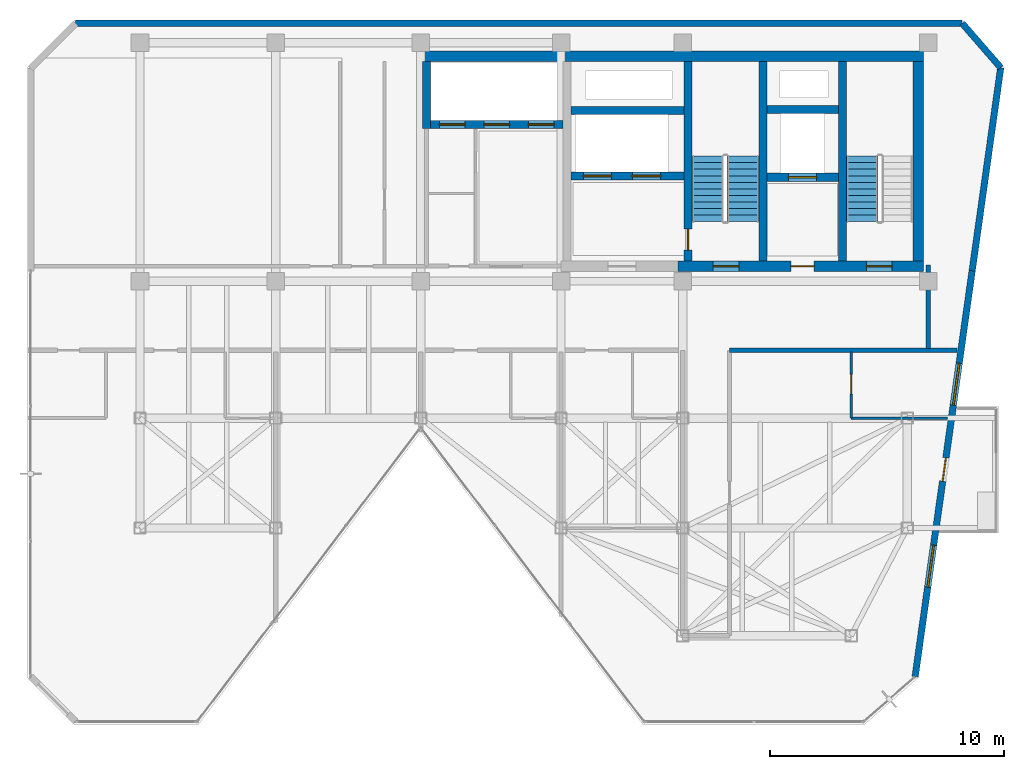
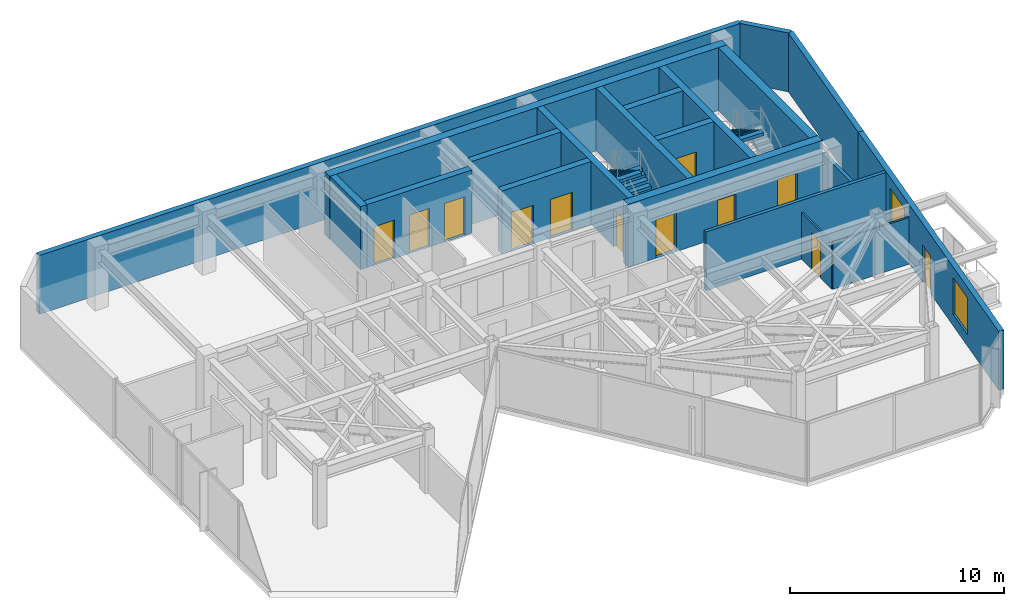
# One storey, part 16 of 19: 20 walls, 12 doors, 3 stair flights, 2 windows, 14 openings, 2 elements without a shape of their own.
"""IFC4 building model written with IfcOpenShell, lengths in metres."""

from ifc_helpers import new_model, si_unit, direction, frame, frame_2d, origin, place, context, subcontext, project, spatial, polyline, rectangle, outline, extrude, material, layer, layer_set, type_object, element, fill, aggregate, save


model = new_model("IFC4")

# Units and contexts
model_context = context("Model", 3, precision=1e-05, world=origin(), true_north=direction((0.0, 1.0)))
body_context = subcontext(model_context, "Body", "Model", "MODEL_VIEW")
ifc_project = project(units=[si_unit("LENGTHUNIT", "METRE"), si_unit("AREAUNIT", "SQUARE_METRE"), si_unit("VOLUMEUNIT", "CUBIC_METRE"), si_unit("PLANEANGLEUNIT", "RADIAN"), si_unit("MASSUNIT", "GRAM", prefix="KILO")], contexts=[model_context])

# Site, building, storey
site_placement = place(None, origin())
site = spatial("IfcSite", under=ifc_project, at=site_placement, CompositionType="ELEMENT")
building_placement = place(site_placement, origin())
building = spatial("IfcBuilding", under=site, at=building_placement, Name="Kravanh Interchange Tower", CompositionType="ELEMENT")
storey_placement = place(building_placement, frame((0.0, 0.0, 267.0)))
storey = spatial("IfcBuildingStorey", under=building, at=storey_placement, Name="L65", CompositionType="ELEMENT", Elevation=267.0)

# Walls
ifc_material_1 = material(Name="Concrete C60/75", Category="concrete")
ifc_layer_1 = layer(ifc_material_1, 0.35009765625)
ifc_layer_set_1 = layer_set([ifc_layer_1], Name="Core Shear Wall Concrete C60/75 350mm")
wall_type_1 = type_object("IfcWallType", Name="Core Shear Wall Concrete C60/75 350mm", PredefinedType="SHEAR", material=ifc_layer_set_1)
for number, where, z_axis, x_axis, name in (
    (1, (62.824951171875, 38.22509765625, 0.0), (0.0, 0.0, 1.0), (0.0, 1.0, 0.0), "L65 Stair ST1 West Shear Wall"),
    (2, (59.425048828125, 38.22509765625, 0.0), (0.0, 0.0, 1.0), (0.0, 1.0, 0.0), "L65 Stair ST2 East Shear Wall"),
):
    element("IfcWall", number, at=place(storey_placement, frame(where, z_axis=z_axis, x_axis=x_axis)), inside=storey, type_object=wall_type_1, Name=name, PredefinedType="SHEAR", context=body_context, shape_type="SweptSolid", body=[
        extrude(rectangle(XDim=8.52490234375, YDim=0.35009765625, at=frame_2d((4.262451171875, 0.0))), origin(), (0.0, 0.0, 1.0), 3.60009765625),
    ])

# Wall, opening, door
wall_1_placement = place(storey_placement, frame((56.22509765625, 38.22509765625, 0.0), z_axis=(0.0, 0.0, 1.0), x_axis=(0.0, 1.0, 0.0)))
wall_1 = element("IfcWall", 3, at=wall_1_placement, inside=storey, type_object=wall_type_1, Name="L65 Stair ST2 West Shear Wall", PredefinedType="SHEAR", context=body_context, shape_type="SweptSolid", body=[
    extrude(rectangle(XDim=8.52490234375, YDim=0.35009765625, at=frame_2d((4.262451171875, 0.0))), origin(), (0.0, 0.0, 1.0), 3.60009765625),
])
opening_1_placement = place(wall_1_placement, frame((0.455078125, 0.0, 0.0)))
opening_1 = element("IfcOpeningElement", 4, at=opening_1_placement, cuts=wall_1, Name="Opening D-STAIR-90", PredefinedType="OPENING", context=body_context, shape_type="SweptSolid", body=[
    extrude(rectangle(XDim=0.89990234375, YDim=2.14990234375, at=frame_2d((0.449951171875, 1.074951171875))), frame((0.0, 0.18505859375, 0.0), z_axis=(0.0, -1.0, 0.0), x_axis=(1.0, 0.0, 0.0)), (0.0, 0.0, 1.0), 0.3701171875),
])
ifc_material_2 = material(Name="Structural Steel S355", Category="steel")
door_type_1 = type_object("IfcDoorType", Name="Fire-Rated Stair Lobby Door 900x2150", OperationType="NOTDEFINED", PredefinedType="DOOR", material=ifc_material_2)
door_1_placement = place(opening_1_placement, origin())
door_1 = element("IfcDoor", 5, at=door_1_placement, inside=storey, type_object=door_type_1, Name="L65 Firefighting Lobby to Stair ST2 Door", OperationType="SINGLE_SWING_LEFT", OverallHeight=2.14990234375, OverallWidth=0.89990234375, PredefinedType="DOOR", context=body_context, shape_type="SweptSolid", body=[
    extrude(rectangle(XDim=0.89990234375, YDim=2.14990234375, at=frame_2d((0.449951171875, 1.074951171875))), frame((0.0, 0.02490234375, 0.0), z_axis=(0.0, -1.0, 0.0), x_axis=(1.0, 0.0, 0.0)), (0.0, 0.0, 1.0), 0.050048828125),
])
fill(opening_1, door_1)

wall_2_placement = place(storey_placement, frame((59.60009765625, 41.800048828125, 0.0), z_axis=(0.0, 0.0, 1.0), x_axis=(1.0, 0.0, 0.0)))
wall_2 = element("IfcWall", 6, at=wall_2_placement, inside=storey, type_object=wall_type_1, Name="L65 Service Lift Shaft South Wall", PredefinedType="SHEAR", context=body_context, shape_type="SweptSolid", body=[
    extrude(rectangle(XDim=3.0498046875, YDim=0.35009765625, at=frame_2d((1.52490234375, 0.0))), origin(), (0.0, 0.0, 1.0), 3.60009765625),
])
opening_2_placement = place(wall_2_placement, frame((0.919921875, 0.0, 0.0)))
opening_2 = element("IfcOpeningElement", 7, at=opening_2_placement, cuts=wall_2, Name="Opening LD02", PredefinedType="OPENING", context=body_context, shape_type="SweptSolid", body=[
    extrude(rectangle(XDim=1.199951171875, YDim=2.199951171875, at=frame_2d((0.60009765625, 1.10009765625))), frame((0.0, 0.18505859375, 0.0), z_axis=(0.0, -1.0, 0.0), x_axis=(1.0, 0.0, 0.0)), (0.0, 0.0, 1.0), 0.3701171875),
])
ifc_material_3 = material(Name="Stainless Steel 316", Category="steel")
door_type_2 = type_object("IfcDoorType", Name="Fire and Service Lift Sliding Landing Door 1200x2200", OperationType="DOUBLE_DOOR_SLIDING", PredefinedType="DOOR", material=ifc_material_3)
door_2_placement = place(opening_2_placement, origin())
door_2 = element("IfcDoor", 8, at=door_2_placement, inside=storey, type_object=door_type_2, Name="L65 Lift LS-01 Landing Door", OperationType="DOUBLE_DOOR_SLIDING", OverallHeight=2.199951171875, OverallWidth=1.199951171875, PredefinedType="DOOR", context=body_context, shape_type="SweptSolid", body=[
    extrude(rectangle(XDim=1.199951171875, YDim=2.199951171875, at=frame_2d((0.60009765625, 1.10009765625))), frame((0.0, 0.02490234375, 0.0), z_axis=(0.0, -1.0, 0.0), x_axis=(1.0, 0.0, 0.0)), (0.0, 0.0, 1.0), 0.050048828125),
])
fill(opening_2, door_2)

# Wall
wall_3_placement = place(storey_placement, frame((59.60009765625, 44.699951171875, 0.0), z_axis=(0.0, 0.0, 1.0), x_axis=(1.0, 0.0, 0.0)))
element("IfcWall", 9, at=wall_3_placement, inside=storey, type_object=wall_type_1, Name="L65 Service Lift Shaft North Wall", PredefinedType="SHEAR", context=body_context, shape_type="SweptSolid", body=[
    extrude(rectangle(XDim=3.0498046875, YDim=0.35009765625, at=frame_2d((1.52490234375, 0.0))), origin(), (0.0, 0.0, 1.0), 3.60009765625),
])

# Wall, openings, doors
wall_4_placement = place(storey_placement, frame((51.22509765625, 41.85009765625, 0.0), z_axis=(0.0, 0.0, 1.0), x_axis=(1.0, 0.0, 0.0)))
wall_4 = element("IfcWall", 10, at=wall_4_placement, inside=storey, type_object=wall_type_1, Name="L65 Fire Lift Shaft South Wall", PredefinedType="SHEAR", context=body_context, shape_type="SweptSolid", body=[
    extrude(rectangle(XDim=4.824951171875, YDim=0.35009765625, at=frame_2d((2.41259765625, 0.0))), origin(), (0.0, 0.0, 1.0), 3.60009765625),
])
opening_3_placement = place(wall_4_placement, frame((0.52490234375, 0.0, 0.0)))
opening_3 = element("IfcOpeningElement", 11, at=opening_3_placement, cuts=wall_4, Name="Opening LD02", PredefinedType="OPENING", context=body_context, shape_type="SweptSolid", body=[
    extrude(rectangle(XDim=1.199951171875, YDim=2.199951171875, at=frame_2d((0.60009765625, 1.10009765625))), frame((0.0, 0.18505859375, 0.0), z_axis=(0.0, -1.0, 0.0), x_axis=(1.0, 0.0, 0.0)), (0.0, 0.0, 1.0), 0.3701171875),
])
opening_4_placement = place(wall_4_placement, frame((2.625, 0.0, 0.0)))
opening_4 = element("IfcOpeningElement", 12, at=opening_4_placement, cuts=wall_4, Name="Opening LD02", PredefinedType="OPENING", context=body_context, shape_type="SweptSolid", body=[
    extrude(rectangle(XDim=1.199951171875, YDim=2.199951171875, at=frame_2d((0.60009765625, 1.10009765625))), frame((0.0, 0.18505859375, 0.0), z_axis=(0.0, -1.0, 0.0), x_axis=(1.0, 0.0, 0.0)), (0.0, 0.0, 1.0), 0.3701171875),
])
door_3_placement = place(opening_3_placement, origin())
door_3 = element("IfcDoor", 13, at=door_3_placement, inside=storey, type_object=door_type_2, Name="L65 Lift FSAE-01 Landing Door", OperationType="DOUBLE_DOOR_SLIDING", OverallHeight=2.199951171875, OverallWidth=1.199951171875, PredefinedType="DOOR", context=body_context, shape_type="SweptSolid", body=[
    extrude(rectangle(XDim=1.199951171875, YDim=2.199951171875, at=frame_2d((0.60009765625, 1.10009765625))), frame((0.0, 0.02490234375, 0.0), z_axis=(0.0, -1.0, 0.0), x_axis=(1.0, 0.0, 0.0)), (0.0, 0.0, 1.0), 0.050048828125),
])
fill(opening_3, door_3)
door_4_placement = place(opening_4_placement, origin())
door_4 = element("IfcDoor", 14, at=door_4_placement, inside=storey, type_object=door_type_2, Name="L65 Lift FSAE-02 Landing Door", OperationType="DOUBLE_DOOR_SLIDING", OverallHeight=2.199951171875, OverallWidth=1.199951171875, PredefinedType="DOOR", context=body_context, shape_type="SweptSolid", body=[
    extrude(rectangle(XDim=1.199951171875, YDim=2.199951171875, at=frame_2d((0.60009765625, 1.10009765625))), frame((0.0, 0.02490234375, 0.0), z_axis=(0.0, -1.0, 0.0), x_axis=(1.0, 0.0, 0.0)), (0.0, 0.0, 1.0), 0.050048828125),
])
fill(opening_4, door_4)

# Wall
wall_5_placement = place(storey_placement, frame((51.22509765625, 44.64990234375, 0.0), z_axis=(0.0, 0.0, 1.0), x_axis=(1.0, 0.0, 0.0)))
element("IfcWall", 15, at=wall_5_placement, inside=storey, type_object=wall_type_1, Name="L65 Fire Lift Shaft North Wall", PredefinedType="SHEAR", context=body_context, shape_type="SweptSolid", body=[
    extrude(rectangle(XDim=4.824951171875, YDim=0.35009765625, at=frame_2d((2.41259765625, 0.0))), origin(), (0.0, 0.0, 1.0), 3.60009765625),
])

# Wall, openings, doors
wall_6_placement = place(storey_placement, frame((45.22509765625, 44.050048828125, 0.0), z_axis=(0.0, 0.0, 1.0), x_axis=(1.0, 0.0, 0.0)))
wall_6 = element("IfcWall", 16, at=wall_6_placement, inside=storey, type_object=wall_type_1, Name="L65 High-Rise Lift Shaft South Wall", PredefinedType="SHEAR", context=body_context, shape_type="SweptSolid", body=[
    extrude(rectangle(XDim=5.64990234375, YDim=0.35009765625, at=frame_2d((2.824951171875, 0.0))), origin(), (0.0, 0.0, 1.0), 3.60009765625),
])
opening_5_placement = place(wall_6_placement, frame((0.375, 0.0, 0.0)))
opening_5 = element("IfcOpeningElement", 17, at=opening_5_placement, cuts=wall_6, Name="Opening LD01", PredefinedType="OPENING", context=body_context, shape_type="SweptSolid", body=[
    extrude(rectangle(XDim=1.10009765625, YDim=2.199951171875, at=frame_2d((0.550048828125, 1.10009765625))), frame((0.0, 0.18505859375, 0.0), z_axis=(0.0, -1.0, 0.0), x_axis=(1.0, 0.0, 0.0)), (0.0, 0.0, 1.0), 0.3701171875),
])
opening_6_placement = place(wall_6_placement, frame((2.27490234375, 0.0, 0.0)))
opening_6 = element("IfcOpeningElement", 18, at=opening_6_placement, cuts=wall_6, Name="Opening LD01", PredefinedType="OPENING", context=body_context, shape_type="SweptSolid", body=[
    extrude(rectangle(XDim=1.10009765625, YDim=2.199951171875, at=frame_2d((0.550048828125, 1.10009765625))), frame((0.0, 0.18505859375, 0.0), z_axis=(0.0, -1.0, 0.0), x_axis=(1.0, 0.0, 0.0)), (0.0, 0.0, 1.0), 0.3701171875),
])
opening_7_placement = place(wall_6_placement, frame((4.175048828125, 0.0, 0.0)))
opening_7 = element("IfcOpeningElement", 19, at=opening_7_placement, cuts=wall_6, Name="Opening LD01", PredefinedType="OPENING", context=body_context, shape_type="SweptSolid", body=[
    extrude(rectangle(XDim=1.10009765625, YDim=2.199951171875, at=frame_2d((0.550048828125, 1.10009765625))), frame((0.0, 0.18505859375, 0.0), z_axis=(0.0, -1.0, 0.0), x_axis=(1.0, 0.0, 0.0)), (0.0, 0.0, 1.0), 0.3701171875),
])
ifc_material_4 = material(Name="Stainless Steel 304", Category="steel")
door_type_3 = type_object("IfcDoorType", Name="Passenger Lift Sliding Landing Door 1100x2200", OperationType="DOUBLE_DOOR_SLIDING", PredefinedType="DOOR", material=ifc_material_4)
door_5_placement = place(opening_5_placement, origin())
door_5 = element("IfcDoor", 20, at=door_5_placement, inside=storey, type_object=door_type_3, Name="L65 Lift LP-H1 Landing Door", OperationType="DOUBLE_DOOR_SLIDING", OverallHeight=2.199951171875, OverallWidth=1.10009765625, PredefinedType="DOOR", context=body_context, shape_type="SweptSolid", body=[
    extrude(rectangle(XDim=1.10009765625, YDim=2.199951171875, at=frame_2d((0.550048828125, 1.10009765625))), frame((0.0, 0.02490234375, 0.0), z_axis=(0.0, -1.0, 0.0), x_axis=(1.0, 0.0, 0.0)), (0.0, 0.0, 1.0), 0.050048828125),
])
fill(opening_5, door_5)
door_6_placement = place(opening_6_placement, origin())
door_6 = element("IfcDoor", 21, at=door_6_placement, inside=storey, type_object=door_type_3, Name="L65 Lift LP-H2 Landing Door", OperationType="DOUBLE_DOOR_SLIDING", OverallHeight=2.199951171875, OverallWidth=1.10009765625, PredefinedType="DOOR", context=body_context, shape_type="SweptSolid", body=[
    extrude(rectangle(XDim=1.10009765625, YDim=2.199951171875, at=frame_2d((0.550048828125, 1.10009765625))), frame((0.0, 0.02490234375, 0.0), z_axis=(0.0, -1.0, 0.0), x_axis=(1.0, 0.0, 0.0)), (0.0, 0.0, 1.0), 0.050048828125),
])
fill(opening_6, door_6)
door_7_placement = place(opening_7_placement, origin())
door_7 = element("IfcDoor", 22, at=door_7_placement, inside=storey, type_object=door_type_3, Name="L65 Lift LP-H3 Landing Door", OperationType="DOUBLE_DOOR_SLIDING", OverallHeight=2.199951171875, OverallWidth=1.10009765625, PredefinedType="DOOR", context=body_context, shape_type="SweptSolid", body=[
    extrude(rectangle(XDim=1.10009765625, YDim=2.199951171875, at=frame_2d((0.550048828125, 1.10009765625))), frame((0.0, 0.02490234375, 0.0), z_axis=(0.0, -1.0, 0.0), x_axis=(1.0, 0.0, 0.0)), (0.0, 0.0, 1.0), 0.050048828125),
])
fill(opening_7, door_7)

# Walls
wall_7_placement = place(storey_placement, frame((45.050048828125, 43.875, 0.0), z_axis=(0.0, 0.0, 1.0), x_axis=(0.0, 1.0, 0.0)))
element("IfcWall", 23, at=wall_7_placement, inside=storey, type_object=wall_type_1, Name="L65 High-Rise Lift Shaft West Wall", PredefinedType="SHEAR", context=body_context, shape_type="SweptSolid", body=[
    extrude(rectangle(XDim=2.875, YDim=0.35009765625, at=frame_2d((1.4375, 0.0))), origin(), (0.0, 0.0, 1.0), 3.60009765625),
])
ifc_material_5 = material(Name="Concrete C60/75", Category="concrete")
ifc_layer_2 = layer(ifc_material_5, 0.449951171875)
ifc_layer_set_2 = layer_set([ifc_layer_2], Name="Core Shear Wall Concrete C60/75 450mm")
wall_type_2 = type_object("IfcWallType", Name="Core Shear Wall Concrete C60/75 450mm", PredefinedType="SHEAR", material=ifc_layer_set_2)
wall_8_placement = place(storey_placement, frame((44.85009765625, 46.97509765625, 0.0), z_axis=(0.0, 0.0, 1.0), x_axis=(1.0, 0.0, 0.0)))
element("IfcWall", 24, at=wall_8_placement, inside=storey, type_object=wall_type_2, Name="L65 North Core Shear Wall", PredefinedType="SHEAR", context=body_context, shape_type="SweptSolid", body=[
    extrude(rectangle(XDim=21.449951171875, YDim=0.449951171875, at=frame_2d((10.72509765625, 0.0))), origin(), (0.0, 0.0, 1.0), 3.60009765625),
])

# Wall, openings, doors
wall_9_placement = place(storey_placement, frame((55.800048828125, 38.0, 0.0), z_axis=(0.0, 0.0, 1.0), x_axis=(1.0, 0.0, 0.0)))
wall_9 = element("IfcWall", 25, at=wall_9_placement, inside=storey, type_object=wall_type_2, Name="L65 East Core South Shear Wall", PredefinedType="SHEAR", context=body_context, shape_type="SweptSolid", body=[
    extrude(rectangle(XDim=10.5, YDim=0.449951171875, at=frame_2d((5.25, 0.0))), origin(), (0.0, 0.0, 1.0), 3.60009765625),
])
opening_8_placement = place(wall_9_placement, frame((1.5, 0.0, 0.0)))
opening_8 = element("IfcOpeningElement", 26, at=opening_8_placement, cuts=wall_9, Name="Opening D-STAIR-110", PredefinedType="OPENING", context=body_context, shape_type="SweptSolid", body=[
    extrude(rectangle(XDim=1.10009765625, YDim=2.199951171875, at=frame_2d((0.550048828125, 1.10009765625))), frame((0.0, 0.23486328125, 0.0), z_axis=(0.0, -1.0, 0.0), x_axis=(1.0, 0.0, 0.0)), (0.0, 0.0, 1.0), 0.469970703125),
])
opening_9_placement = place(wall_9_placement, frame((4.820068359375, 0.0, 0.0)))
opening_9 = element("IfcOpeningElement", 27, at=opening_9_placement, cuts=wall_9, Name="Opening D-HOTEL-100", PredefinedType="OPENING", context=body_context, shape_type="SweptSolid", body=[
    extrude(rectangle(XDim=1.0, YDim=2.14990234375, at=frame_2d((0.5, 1.074951171875))), frame((0.0, 0.23486328125, 0.0), z_axis=(0.0, -1.0, 0.0), x_axis=(1.0, 0.0, 0.0)), (0.0, 0.0, 1.0), 0.469970703125),
])
opening_10_placement = place(wall_9_placement, frame((8.050048828125, 0.0, 0.0)))
opening_10 = element("IfcOpeningElement", 28, at=opening_10_placement, cuts=wall_9, Name="Opening D-STAIR-110", PredefinedType="OPENING", context=body_context, shape_type="SweptSolid", body=[
    extrude(rectangle(XDim=1.10009765625, YDim=2.199951171875, at=frame_2d((0.550048828125, 1.10009765625))), frame((0.0, 0.23486328125, 0.0), z_axis=(0.0, -1.0, 0.0), x_axis=(1.0, 0.0, 0.0)), (0.0, 0.0, 1.0), 0.469970703125),
])
ifc_material_6 = material(Name="Structural Steel S355", Category="steel")
door_type_4 = type_object("IfcDoorType", Name="Fire-Rated Exit Stair Door 1100x2200", OperationType="NOTDEFINED", PredefinedType="DOOR", material=ifc_material_6)
door_8_placement = place(opening_8_placement, origin())
door_8 = element("IfcDoor", 29, at=door_8_placement, inside=storey, type_object=door_type_4, Name="L65 Exit Stair ST2 Door", OperationType="SINGLE_SWING_RIGHT", OverallHeight=2.199951171875, OverallWidth=1.10009765625, PredefinedType="DOOR", context=body_context, shape_type="SweptSolid", body=[
    extrude(rectangle(XDim=1.10009765625, YDim=2.199951171875, at=frame_2d((0.550048828125, 1.10009765625))), frame((0.0, 0.02490234375, 0.0), z_axis=(0.0, -1.0, 0.0), x_axis=(1.0, 0.0, 0.0)), (0.0, 0.0, 1.0), 0.050048828125),
])
fill(opening_8, door_8)
door_9_placement = place(opening_10_placement, origin())
door_9 = element("IfcDoor", 30, at=door_9_placement, inside=storey, type_object=door_type_4, Name="L65 Exit Stair ST1 Door", OperationType="SINGLE_SWING_RIGHT", OverallHeight=2.199951171875, OverallWidth=1.10009765625, PredefinedType="DOOR", context=body_context, shape_type="SweptSolid", body=[
    extrude(rectangle(XDim=1.10009765625, YDim=2.199951171875, at=frame_2d((0.550048828125, 1.10009765625))), frame((0.0, 0.02490234375, 0.0), z_axis=(0.0, -1.0, 0.0), x_axis=(1.0, 0.0, 0.0)), (0.0, 0.0, 1.0), 0.050048828125),
])
fill(opening_10, door_9)
ifc_material_7 = material(Name="Fire-Rated Solid Timber Leaf", Category="wood")
door_type_5 = type_object("IfcDoorType", Name="Fire-Rated Suite Entrance Door 1000x2150", OperationType="NOTDEFINED", PredefinedType="DOOR", material=ifc_material_7)
door_10_placement = place(opening_9_placement, origin())
door_10 = element("IfcDoor", 31, at=door_10_placement, inside=storey, type_object=door_type_5, Name="L65 Service Lift Lobby Door", OperationType="SINGLE_SWING_RIGHT", OverallHeight=2.14990234375, OverallWidth=1.0, PredefinedType="DOOR", context=body_context, shape_type="SweptSolid", body=[
    extrude(rectangle(XDim=1.0, YDim=2.14990234375, at=frame_2d((0.5, 1.074951171875))), frame((0.0, 0.02490234375, 0.0), z_axis=(0.0, -1.0, 0.0), x_axis=(1.0, 0.0, 0.0)), (0.0, 0.0, 1.0), 0.050048828125),
])
fill(opening_9, door_10)

# Walls
wall_10_placement = place(storey_placement, frame((66.074951171875, 38.22509765625, 0.0), z_axis=(0.0, 0.0, 1.0), x_axis=(0.0, 1.0, 0.0)))
element("IfcWall", 32, at=wall_10_placement, inside=storey, type_object=wall_type_2, Name="L65 Stair ST1 East Shear Wall", PredefinedType="SHEAR", context=body_context, shape_type="SweptSolid", body=[
    extrude(rectangle(XDim=8.52490234375, YDim=0.449951171875, at=frame_2d((4.262451171875, 0.0))), origin(), (0.0, 0.0, 1.0), 3.60009765625),
])
ifc_material_8 = material(Name="Moisture-Resistant Gypsum Board and Mineral Wool")
ifc_layer_3 = layer(ifc_material_8, 0.10009765625)
ifc_layer_set_3 = layer_set([ifc_layer_3], Name="En-Suite Moisture-Resistant Partition 100mm")
wall_type_3 = type_object("IfcWallType", Name="En-Suite Moisture-Resistant Partition 100mm", PredefinedType="PARTITIONING", material=ifc_layer_set_3)
wall_11_placement = place(storey_placement, frame((63.199951171875, 31.5, 0.0), z_axis=(0.0, 0.0, 1.0), x_axis=(1.0, 0.0, 0.0)))
element("IfcWall", 33, at=wall_11_placement, inside=storey, type_object=wall_type_3, Name="L65 Interior Partition 17", PredefinedType="PARTITIONING", context=body_context, shape_type="SweptSolid", body=[
    extrude(rectangle(XDim=4.123046875, YDim=0.10009765625, at=frame_2d((2.0615234375, 0.0))), origin(), (0.0, 0.0, 1.0), 2.6640625),
])

# Wall, opening, door
wall_12_placement = place(storey_placement, frame((63.199951171875, 31.5, 0.0), z_axis=(0.0, 0.0, 1.0), x_axis=(0.0, 1.0, 0.0)))
wall_12 = element("IfcWall", 34, at=wall_12_placement, inside=storey, type_object=wall_type_3, Name="L65 Interior Partition 18", PredefinedType="PARTITIONING", context=body_context, shape_type="SweptSolid", body=[
    extrude(rectangle(XDim=2.83203125, YDim=0.10009765625, at=frame_2d((1.416015625, 0.0))), origin(), (0.0, 0.0, 1.0), 2.6640625),
])
opening_11_placement = place(wall_12_placement, frame((1.02490234375, 0.0, 0.0)))
opening_11 = element("IfcOpeningElement", 35, at=opening_11_placement, cuts=wall_12, Name="Opening D-85", PredefinedType="OPENING", context=body_context, shape_type="SweptSolid", body=[
    extrude(rectangle(XDim=0.85009765625, YDim=2.10009765625, at=frame_2d((0.425048828125, 1.050048828125))), frame((0.0, 0.06005859375, 0.0), z_axis=(0.0, -1.0, 0.0), x_axis=(1.0, 0.0, 0.0)), (0.0, 0.0, 1.0), 0.1201171875),
])
ifc_material_9 = material(Name="Engineered Teak Veneer Timber", Category="wood")
door_type_6 = type_object("IfcDoorType", Name="En-Suite Timber Door 850x2100", OperationType="NOTDEFINED", PredefinedType="DOOR", material=ifc_material_9)
door_11_placement = place(opening_11_placement, origin())
door_11 = element("IfcDoor", 36, at=door_11_placement, inside=storey, type_object=door_type_6, Name="L65 En-suite Bathroom Door", OperationType="SINGLE_SWING_LEFT", OverallHeight=2.10009765625, OverallWidth=0.85009765625, PredefinedType="DOOR", context=body_context, shape_type="SweptSolid", body=[
    extrude(rectangle(XDim=0.85009765625, YDim=2.10009765625, at=frame_2d((0.425048828125, 1.050048828125))), frame((0.0, 0.02490234375, 0.0), z_axis=(0.0, -1.0, 0.0), x_axis=(1.0, 0.0, 0.0)), (0.0, 0.0, 1.0), 0.050048828125),
])
fill(opening_11, door_11)

# Walls
ifc_material_10 = material(Name="Insulated Precast Concrete C40/50 with Bronze Cladding", Category="concrete")
ifc_layer_4 = layer(ifc_material_10, 0.280029296875)
ifc_layer_set_4 = layer_set([ifc_layer_4], Name="Exterior Insulated Concrete C40/50 Bronze Spandrel Wall 280mm")
wall_type_4 = type_object("IfcWallType", Name="Exterior Insulated Concrete C40/50 Bronze Spandrel Wall 280mm", PredefinedType="STANDARD", material=ifc_layer_set_4)
wall_13_placement = place(storey_placement, frame((30.0498046875, 48.3798828125, 0.0), z_axis=(0.0, 0.0, 1.0), x_axis=(1.0, 0.0, 0.0)))
element("IfcWall", 37, at=wall_13_placement, inside=storey, type_object=wall_type_4, Name="L65 Exterior Wall 3", PredefinedType="STANDARD", context=body_context, shape_type="SweptSolid", body=[
    extrude(rectangle(XDim=37.8955078125, YDim=0.280029296875, at=frame_2d((18.94775390625, 0.0))), origin(), (0.0, 0.0, 1.0), 3.360107421875),
])
wall_14_placement = place(storey_placement, frame((67.9453125, 48.3798828125, 0.0), z_axis=(0.0, 0.0, 1.0), x_axis=(0.656068147197, -0.75470165379, 0.0)))
element("IfcWall", 38, at=wall_14_placement, inside=storey, type_object=wall_type_4, Name="L65 Exterior Wall 4", PredefinedType="STANDARD", context=body_context, shape_type="SweptSolid", body=[
    extrude(rectangle(XDim=2.514892578125, YDim=0.280029296875, at=frame_2d((1.25732421875, 0.0))), origin(), (0.0, 0.0, 1.0), 3.360107421875),
])
wall_15_placement = place(storey_placement, frame((69.59521484375, 46.48193359375, 0.0), z_axis=(0.0, 0.0, 1.0), x_axis=(-0.139179310088, -0.990267196086, 0.0)))
element("IfcWall", 39, at=wall_15_placement, inside=storey, type_object=wall_type_4, Name="L65 Exterior Wall 5", PredefinedType="STANDARD", context=body_context, shape_type="SweptSolid", body=[
    extrude(rectangle(XDim=8.767333984375, YDim=0.280029296875, at=frame_2d((4.3837890625, 0.0))), origin(), (0.0, 0.0, 1.0), 3.360107421875),
])

# Wall, openings, door, windows
wall_16_placement = place(storey_placement, frame((68.375, 37.800048828125, 0.0), z_axis=(0.0, 0.0, 1.0), x_axis=(-0.139166909111, -0.990268938929, 0.0)))
wall_16 = element("IfcWall", 40, at=wall_16_placement, inside=storey, type_object=wall_type_4, Name="L65 Exterior Wall 6", PredefinedType="STANDARD", context=body_context, shape_type="SweptSolid", body=[
    extrude(rectangle(XDim=17.529052734375, YDim=0.280029296875, at=frame_2d((8.7646484375, 0.0))), origin(), (0.0, 0.0, 1.0), 3.360107421875),
])
opening_12_placement = place(wall_16_placement, frame((8.076904296875, 0.0, 0.0)))
opening_12 = element("IfcOpeningElement", 41, at=opening_12_placement, cuts=wall_16, Name="Opening ED-BAL100", PredefinedType="OPENING", context=body_context, shape_type="SweptSolid", body=[
    extrude(rectangle(XDim=1.0, YDim=2.14990234375, at=frame_2d((0.5, 1.074951171875))), frame((0.0, 0.14990234375, 0.0), z_axis=(0.0, -1.0, 0.0), x_axis=(1.0, 0.0, 0.0)), (0.0, 0.0, 1.0), 0.300048828125),
])
opening_13_placement = place(wall_16_placement, frame((3.996826171875, 0.0, 0.64990234375)))
opening_13 = element("IfcOpeningElement", 42, at=opening_13_placement, cuts=wall_16, Name="Opening WN-180X210", PredefinedType="OPENING", context=body_context, shape_type="SweptSolid", body=[
    extrude(rectangle(XDim=1.800048828125, YDim=2.10009765625, at=frame_2d((0.89990234375, 1.050048828125))), frame((0.0, 0.14990234375, 0.0), z_axis=(0.0, -1.0, 0.0), x_axis=(1.0, 0.0, 0.0)), (0.0, 0.0, 1.0), 0.300048828125),
])
opening_14_placement = place(wall_16_placement, frame((11.85302734375, 0.0, 0.64990234375)))
opening_14 = element("IfcOpeningElement", 43, at=opening_14_placement, cuts=wall_16, Name="Opening WN-180X210", PredefinedType="OPENING", context=body_context, shape_type="SweptSolid", body=[
    extrude(rectangle(XDim=1.800048828125, YDim=2.10009765625, at=frame_2d((0.89990234375, 1.050048828125))), frame((0.0, 0.14990234375, 0.0), z_axis=(0.0, -1.0, 0.0), x_axis=(1.0, 0.0, 0.0)), (0.0, 0.0, 1.0), 0.300048828125),
])
ifc_material_11 = material(Name="Thermally Broken Bronze Aluminium and Laminated Glass", Category="aluminium")
door_type_7 = type_object("IfcDoorType", Name="Balcony Glazed Door 1000x2150", OperationType="NOTDEFINED", PredefinedType="DOOR", material=ifc_material_11)
door_12_placement = place(opening_12_placement, origin())
door_12 = element("IfcDoor", 44, at=door_12_placement, inside=storey, type_object=door_type_7, Name="L65 E Tree Balcony Access Door", OperationType="SINGLE_SWING_RIGHT", OverallHeight=2.14990234375, OverallWidth=1.0, PredefinedType="DOOR", context=body_context, shape_type="SweptSolid", body=[
    extrude(rectangle(XDim=1.0, YDim=2.14990234375, at=frame_2d((0.5, 1.074951171875))), frame((0.0, 0.02490234375, 0.0), z_axis=(0.0, -1.0, 0.0), x_axis=(1.0, 0.0, 0.0)), (0.0, 0.0, 1.0), 0.050048828125),
])
fill(opening_12, door_12)
ifc_material_12 = material(Name="Thermally Broken Bronze Aluminium and Low-E Glass", Category="aluminium")
window_type = type_object("IfcWindowType", Name="Tower Pier Window 1800x2100", PartitioningType="SINGLE_PANEL", PredefinedType="WINDOW", material=ifc_material_12)
window_1_placement = place(opening_13_placement, origin())
window_1 = element("IfcWindow", 45, at=window_1_placement, inside=storey, type_object=window_type, Name="L65 Facade Window 6A", OverallHeight=2.10009765625, OverallWidth=1.800048828125, PartitioningType="SINGLE_PANEL", PredefinedType="WINDOW", context=body_context, shape_type="SweptSolid", body=[
    extrude(rectangle(XDim=1.800048828125, YDim=2.10009765625, at=frame_2d((0.89990234375, 1.050048828125))), frame((0.0, 0.030029296875, 0.0), z_axis=(0.0, -1.0, 0.0), x_axis=(1.0, 0.0, 0.0)), (0.0, 0.0, 1.0), 0.06005859375),
])
fill(opening_13, window_1)
window_2_placement = place(opening_14_placement, origin())
window_2 = element("IfcWindow", 46, at=window_2_placement, inside=storey, type_object=window_type, Name="L65 Facade Window 6B", OverallHeight=2.10009765625, OverallWidth=1.800048828125, PartitioningType="SINGLE_PANEL", PredefinedType="WINDOW", context=body_context, shape_type="SweptSolid", body=[
    extrude(rectangle(XDim=1.800048828125, YDim=2.10009765625, at=frame_2d((0.89990234375, 1.050048828125))), frame((0.0, 0.030029296875, 0.0), z_axis=(0.0, -1.0, 0.0), x_axis=(1.0, 0.0, 0.0)), (0.0, 0.0, 1.0), 0.06005859375),
])
fill(opening_14, window_2)

# Walls
ifc_material_13 = material(Name="Autoclaved Aerated Concrete C30/37 Blockwork", Category="masonry")
ifc_layer_5 = layer(ifc_material_13, 0.179931640625)
ifc_layer_set_5 = layer_set([ifc_layer_5], Name="Fire-Rated Lobby and Corridor Wall Concrete C30/37 180mm")
wall_type_5 = type_object("IfcWallType", Name="Fire-Rated Lobby and Corridor Wall Concrete C30/37 180mm", PredefinedType="STANDARD", material=ifc_layer_set_5)
wall_17_placement = place(storey_placement, frame((58.0, 34.39990234375, 0.0), z_axis=(0.0, 0.0, 1.0), x_axis=(1.0, 0.0, 0.0)))
element("IfcWall", 47, at=wall_17_placement, inside=storey, type_object=wall_type_5, Name="L65 Interior Partition 10", PredefinedType="STANDARD", context=body_context, shape_type="SweptSolid", body=[
    extrude(rectangle(XDim=9.730712890625, YDim=0.179931640625, at=frame_2d((4.865234375, 0.0))), origin(), (0.0, 0.0, 1.0), 3.360107421875),
])
wall_18_placement = place(storey_placement, frame((66.5, 34.468017578125, 0.0), z_axis=(0.0, 0.0, 1.0), x_axis=(0.0, 1.0, 0.0)))
element("IfcWall", 48, at=wall_18_placement, inside=storey, type_object=wall_type_5, Name="L65 Interior Partition 11", PredefinedType="STANDARD", context=body_context, shape_type="SweptSolid", body=[
    extrude(rectangle(XDim=3.58203125, YDim=0.179931640625, at=frame_2d((1.791015625, 0.0))), origin(), (0.0, 0.0, 1.0), 2.6640625),
])

# Stair, stair flight
ifc_material_14 = material(Name="Concrete C50/60", Category="concrete")
stair_type = type_object("IfcStairType", Name="Core Fire Exit Dogleg Stair Concrete C50/60", PredefinedType="HALF_TURN_STAIR", material=ifc_material_14)
stair_1_placement = place(storey_placement, origin())
stair_1 = element("IfcStair", 49, at=stair_1_placement, inside=storey, type_object=stair_type, Name="L65 Exit Stair ST1", PredefinedType="HALF_TURN_STAIR")
ifc_material_15 = material(Name="Precast Concrete C50/60", Category="concrete")
ifc_layer_6 = layer(ifc_material_15, 0.199951171875)
ifc_layer_set_6 = layer_set([ifc_layer_6], Name="Precast Concrete C50/60 Stair Flight 1350mm")
stair_flight_type = type_object("IfcStairFlightType", Name="Precast Concrete C50/60 Stair Flight 1350mm", PredefinedType="STRAIGHT", material=ifc_layer_set_6)
stair_flight_1_placement = place(storey_placement, frame((63.675048828125, 42.699951171875, 1.800048828125), z_axis=(0.0, 0.0, 1.0), x_axis=(0.0, -1.0, 0.0)))
stair_flight_1 = element("IfcStairFlight", 50, at=stair_flight_1_placement, type_object=stair_flight_type, Name="ST1 flight 2", NumberOfRisers=11, NumberOfTreads=10, PredefinedType="STRAIGHT", RiserHeight=0.163636364, TreadLength=0.28, context=body_context, shape_type="SweptSolid", body=[
    extrude(outline(polyline([(0.0, 0.0), (0.0, 0.16357421875), (0.280029296875, 0.16357421875), (0.280029296875, 0.327392578125), (0.56005859375, 0.327392578125), (0.56005859375, 0.490966796875), (0.840087890625, 0.490966796875), (0.840087890625, 0.654541015625), (1.1201171875, 0.654541015625), (1.1201171875, 0.818115234375), (1.39990234375, 0.818115234375), (1.39990234375, 0.98193359375), (1.679931640625, 0.98193359375), (1.679931640625, 1.1455078125), (1.9599609375, 1.1455078125), (1.9599609375, 1.30908203125), (2.239990234375, 1.30908203125), (2.239990234375, 1.47265625), (2.52001953125, 1.47265625), (2.52001953125, 1.636474609375), (2.800048828125, 1.636474609375), (2.800048828125, 1.800048828125), (2.800048828125, 1.462646484375), (0.297119140625, 0.0), (0.0, 0.0)])), frame((0.0, 0.675048828125, 0.0), z_axis=(0.0, -1.0, 0.0), x_axis=(1.0, 0.0, 0.0)), (0.0, 0.0, 1.0), 1.35009765625),
])
aggregate(stair_1, [stair_flight_1])

# Stair, stair flights
stair_2_placement = place(storey_placement, origin())
stair_2 = element("IfcStair", 51, at=stair_2_placement, inside=storey, type_object=stair_type, Name="L65 Exit Stair ST2", PredefinedType="HALF_TURN_STAIR")
stair_flight_2_placement = place(storey_placement, frame((58.574951171875, 39.89990234375, 0.0), z_axis=(0.0, 0.0, 1.0), x_axis=(0.0, 1.0, 0.0)))
stair_flight_2 = element("IfcStairFlight", 52, at=stair_flight_2_placement, type_object=stair_flight_type, Name="ST2 flight 1", NumberOfRisers=11, NumberOfTreads=10, PredefinedType="STRAIGHT", RiserHeight=0.163636364, TreadLength=0.28, context=body_context, shape_type="SweptSolid", body=[
    extrude(outline(polyline([(0.0, 0.0), (0.0, 0.16357421875), (0.280029296875, 0.16357421875), (0.280029296875, 0.327392578125), (0.56005859375, 0.327392578125), (0.56005859375, 0.490966796875), (0.840087890625, 0.490966796875), (0.840087890625, 0.654541015625), (1.1201171875, 0.654541015625), (1.1201171875, 0.818115234375), (1.39990234375, 0.818115234375), (1.39990234375, 0.98193359375), (1.679931640625, 0.98193359375), (1.679931640625, 1.1455078125), (1.9599609375, 1.1455078125), (1.9599609375, 1.30908203125), (2.239990234375, 1.30908203125), (2.239990234375, 1.47265625), (2.52001953125, 1.47265625), (2.52001953125, 1.636474609375), (2.800048828125, 1.636474609375), (2.800048828125, 1.800048828125), (2.800048828125, 1.462646484375), (0.297119140625, 0.0), (0.0, 0.0)])), frame((0.0, 0.675048828125, 0.0), z_axis=(0.0, -1.0, 0.0), x_axis=(1.0, 0.0, 0.0)), (0.0, 0.0, 1.0), 1.35009765625),
])
stair_flight_3_placement = place(storey_placement, frame((57.074951171875, 42.699951171875, 1.800048828125), z_axis=(0.0, 0.0, 1.0), x_axis=(0.0, -1.0, 0.0)))
stair_flight_3 = element("IfcStairFlight", 53, at=stair_flight_3_placement, type_object=stair_flight_type, Name="ST2 flight 2", NumberOfRisers=11, NumberOfTreads=10, PredefinedType="STRAIGHT", RiserHeight=0.163636364, TreadLength=0.28, context=body_context, shape_type="SweptSolid", body=[
    extrude(outline(polyline([(0.0, 0.0), (0.0, 0.16357421875), (0.280029296875, 0.16357421875), (0.280029296875, 0.327392578125), (0.56005859375, 0.327392578125), (0.56005859375, 0.490966796875), (0.840087890625, 0.490966796875), (0.840087890625, 0.654541015625), (1.1201171875, 0.654541015625), (1.1201171875, 0.818115234375), (1.39990234375, 0.818115234375), (1.39990234375, 0.98193359375), (1.679931640625, 0.98193359375), (1.679931640625, 1.1455078125), (1.9599609375, 1.1455078125), (1.9599609375, 1.30908203125), (2.239990234375, 1.30908203125), (2.239990234375, 1.47265625), (2.52001953125, 1.47265625), (2.52001953125, 1.636474609375), (2.800048828125, 1.636474609375), (2.800048828125, 1.800048828125), (2.800048828125, 1.462646484375), (0.297119140625, 0.0), (0.0, 0.0)])), frame((0.0, 0.675048828125, 0.0), z_axis=(0.0, -1.0, 0.0), x_axis=(1.0, 0.0, 0.0)), (0.0, 0.0, 1.0), 1.35009765625),
])
aggregate(stair_2, [stair_flight_2, stair_flight_3])

save(model, "model.ifc")
